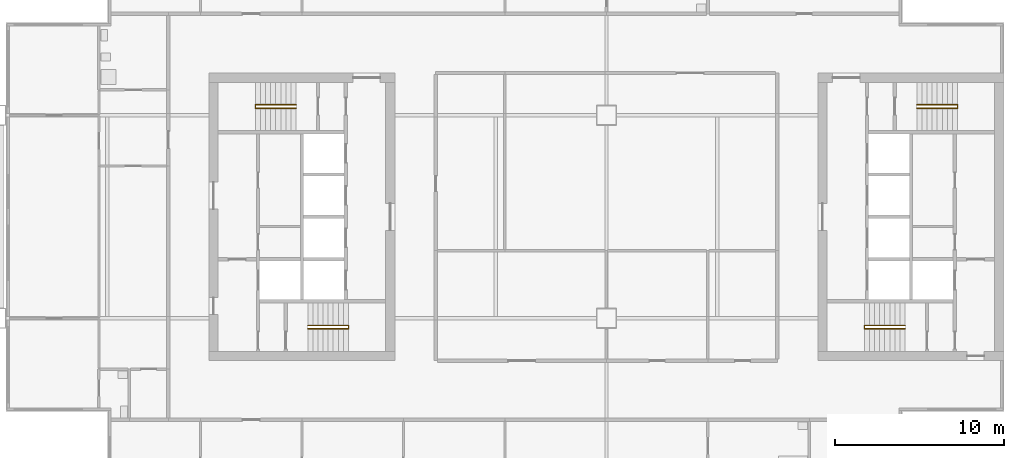
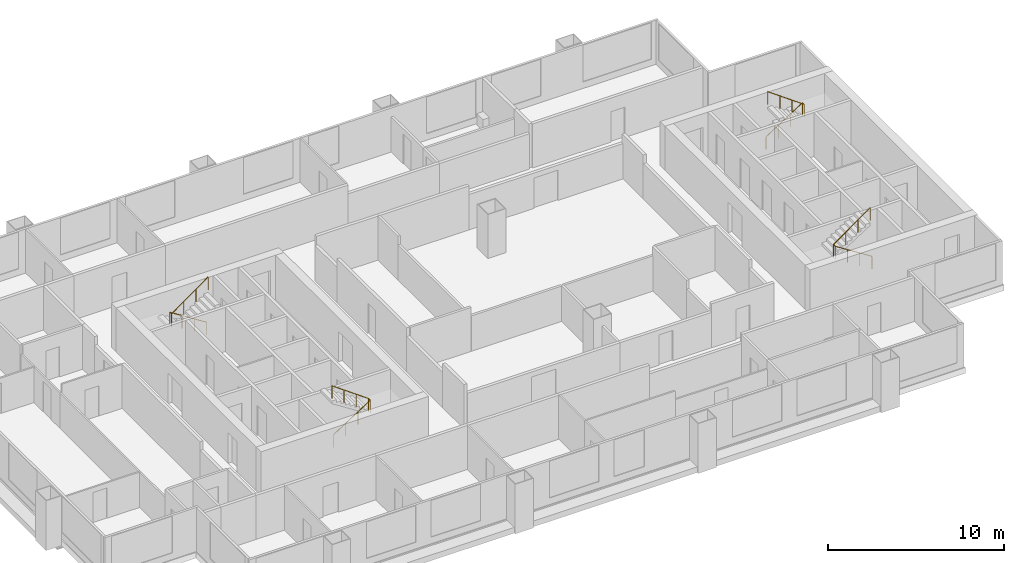
# One storey, part 7 of 8: 4 railings.
"""IFC4 building model written with IfcOpenShell, lengths in metres."""

from ifc_helpers import new_model, si_unit, direction, frame, origin, origin_2d, place, context, subcontext, project, spatial, circle, extrude, material, type_object, element, save


model = new_model("IFC4")

# Units and contexts
model_context = context("Model", 3, precision=1e-05, world=origin(), true_north=direction((0.0, 1.0)))
body_context = subcontext(model_context, "Body", "Model", "MODEL_VIEW")
ifc_project = project(units=[si_unit("LENGTHUNIT", "METRE"), si_unit("AREAUNIT", "SQUARE_METRE"), si_unit("VOLUMEUNIT", "CUBIC_METRE"), si_unit("PLANEANGLEUNIT", "RADIAN"), si_unit("MASSUNIT", "GRAM", prefix="KILO")], contexts=[model_context])

# Site, building, storey
site_placement = place(None, origin())
site = spatial("IfcSite", under=ifc_project, at=site_placement, CompositionType="ELEMENT")
building_placement = place(site_placement, origin())
building = spatial("IfcBuilding", under=site, at=building_placement, Name="Kitamizu Gate Tower and Museum", CompositionType="ELEMENT")
storey_placement = place(building_placement, frame((0.0, 0.0, 189.300048828125)))
storey = spatial("IfcBuildingStorey", under=building, at=storey_placement, Name="L50", CompositionType="ELEMENT", Elevation=189.300048828125)

# Railings
ifc_material = material(Name="Stainless steel SUS304", Category="steel")
railing_type = type_object("IfcRailingType", Name="Stair handrail 900", PredefinedType="HANDRAIL", material=ifc_material)
railing_1_placement = place(storey_placement, frame((18.35009765625, 23.375, 0.191650390625)))
element("IfcRailing", 1, at=railing_1_placement, inside=storey, type_object=railing_type, Name="Stair handrail ST1", PredefinedType="HANDRAIL", context=body_context, shape_type="SweptSolid", body=[
    extrude(circle(Radius=0.02392578125, at=origin_2d()), frame((0.0, 0.0, 0.8759765625), z_axis=(0.84270706373, 0.0, 0.538372366248), x_axis=(0.0, 1.0, 0.0)), (0.0, 0.0, 1.0), 2.847900390625),
    extrude(circle(Radius=0.02392578125, at=origin_2d()), frame((2.39990234375, 0.0, 2.4091796875), z_axis=(0.0, 1.0, 0.0), x_axis=(-1.0, 0.0, 0.0)), (0.0, 0.0, 1.0), 0.199951171875),
    extrude(circle(Radius=0.02392578125, at=origin_2d()), frame((2.39990234375, 0.199951171875, 2.4091796875), z_axis=(-0.811988456656, 0.0, 0.583673492852), x_axis=(0.0, -1.0, 0.0)), (0.0, 0.0, 1.0), 2.95556640625),
    extrude(circle(Radius=0.02099609375, at=origin_2d()), origin(), (0.0, 0.0, 1.0), 0.851806640625),
    extrude(circle(Radius=0.02099609375, at=origin_2d()), frame((0.800048828125, 0.0, 0.510986328125)), (0.0, 0.0, 1.0), 0.851806640625),
    extrude(circle(Radius=0.02099609375, at=origin_2d()), frame((1.599853515625, 0.0, 1.022216796875)), (0.0, 0.0, 1.0), 0.851806640625),
    extrude(circle(Radius=0.02099609375, at=origin_2d()), frame((2.39990234375, 0.0, 1.533203125)), (0.0, 0.0, 1.0), 0.851806640625),
    extrude(circle(Radius=0.02099609375, at=origin_2d()), frame((2.39990234375, 0.199951171875, 1.533203125)), (0.0, 0.0, 1.0), 0.851806640625),
    extrude(circle(Radius=0.02099609375, at=origin_2d()), frame((1.599853515625, 0.199951171875, 2.108154296875)), (0.0, 0.0, 1.0), 0.851806640625),
    extrude(circle(Radius=0.02099609375, at=origin_2d()), frame((0.800048828125, 0.199951171875, 2.683349609375)), (0.0, 0.0, 1.0), 0.851806640625),
    extrude(circle(Radius=0.02099609375, at=origin_2d()), frame((0.0, 0.199951171875, 3.25830078125)), (0.0, 0.0, 1.0), 0.851806640625),
])
railing_2_placement = place(storey_placement, frame((17.64990234375, 36.625, 0.191650390625)))
element("IfcRailing", 2, at=railing_2_placement, inside=storey, type_object=railing_type, Name="Stair handrail ST2", PredefinedType="HANDRAIL", context=body_context, shape_type="SweptSolid", body=[
    extrude(circle(Radius=0.02392578125, at=origin_2d()), frame((0.0, 0.0, 0.8759765625), z_axis=(-0.84270706373, 0.0, 0.538372366248), x_axis=(0.0, -1.0, 0.0)), (0.0, 0.0, 1.0), 2.847900390625),
    extrude(circle(Radius=0.02392578125, at=origin_2d()), frame((-2.39990234375, 0.0, 2.4091796875), z_axis=(0.0, -1.0, 0.0), x_axis=(1.0, 0.0, 0.0)), (0.0, 0.0, 1.0), 0.199951171875),
    extrude(circle(Radius=0.02392578125, at=origin_2d()), frame((-2.39990234375, -0.199951171875, 2.4091796875), z_axis=(0.811988456656, 0.0, 0.583673492852), x_axis=(0.0, 1.0, 0.0)), (0.0, 0.0, 1.0), 2.95556640625),
    extrude(circle(Radius=0.02099609375, at=origin_2d()), origin(), (0.0, 0.0, 1.0), 0.851806640625),
    extrude(circle(Radius=0.02099609375, at=origin_2d()), frame((-0.800048828125, 0.0, 0.510986328125)), (0.0, 0.0, 1.0), 0.851806640625),
    extrude(circle(Radius=0.02099609375, at=origin_2d()), frame((-1.599853515625, 0.0, 1.022216796875)), (0.0, 0.0, 1.0), 0.851806640625),
    extrude(circle(Radius=0.02099609375, at=origin_2d()), frame((-2.39990234375, 0.0, 1.533203125)), (0.0, 0.0, 1.0), 0.851806640625),
    extrude(circle(Radius=0.02099609375, at=origin_2d()), frame((-2.39990234375, -0.199951171875, 1.533203125)), (0.0, 0.0, 1.0), 0.851806640625),
    extrude(circle(Radius=0.02099609375, at=origin_2d()), frame((-1.599853515625, -0.199951171875, 2.108154296875)), (0.0, 0.0, 1.0), 0.851806640625),
    extrude(circle(Radius=0.02099609375, at=origin_2d()), frame((-0.800048828125, -0.199951171875, 2.683349609375)), (0.0, 0.0, 1.0), 0.851806640625),
    extrude(circle(Radius=0.02099609375, at=origin_2d()), frame((0.0, -0.199951171875, 3.25830078125)), (0.0, 0.0, 1.0), 0.851806640625),
])
railing_3_placement = place(storey_placement, frame((53.64990234375, 23.375, 0.191650390625)))
element("IfcRailing", 3, at=railing_3_placement, inside=storey, type_object=railing_type, Name="Stair handrail ST3", PredefinedType="HANDRAIL", context=body_context, shape_type="SweptSolid", body=[
    extrude(circle(Radius=0.02392578125, at=origin_2d()), frame((0.0, 0.0, 0.8759765625), z_axis=(-0.84270706373, 0.0, 0.538372366248), x_axis=(0.0, -1.0, 0.0)), (0.0, 0.0, 1.0), 2.847900390625),
    extrude(circle(Radius=0.02392578125, at=origin_2d()), frame((-2.39990234375, 0.0, 2.4091796875), z_axis=(0.0, 1.0, 0.0), x_axis=(-1.0, 0.0, 0.0)), (0.0, 0.0, 1.0), 0.199951171875),
    extrude(circle(Radius=0.02392578125, at=origin_2d()), frame((-2.39990234375, 0.199951171875, 2.4091796875), z_axis=(0.811988456656, 0.0, 0.583673492852), x_axis=(0.0, 1.0, 0.0)), (0.0, 0.0, 1.0), 2.95556640625),
    extrude(circle(Radius=0.02099609375, at=origin_2d()), origin(), (0.0, 0.0, 1.0), 0.851806640625),
    extrude(circle(Radius=0.02099609375, at=origin_2d()), frame((-0.800048828125, 0.0, 0.510986328125)), (0.0, 0.0, 1.0), 0.851806640625),
    extrude(circle(Radius=0.02099609375, at=origin_2d()), frame((-1.599853515625, 0.0, 1.022216796875)), (0.0, 0.0, 1.0), 0.851806640625),
    extrude(circle(Radius=0.02099609375, at=origin_2d()), frame((-2.39990234375, 0.0, 1.533203125)), (0.0, 0.0, 1.0), 0.851806640625),
    extrude(circle(Radius=0.02099609375, at=origin_2d()), frame((-2.39990234375, 0.199951171875, 1.533203125)), (0.0, 0.0, 1.0), 0.851806640625),
    extrude(circle(Radius=0.02099609375, at=origin_2d()), frame((-1.599853515625, 0.199951171875, 2.108154296875)), (0.0, 0.0, 1.0), 0.851806640625),
    extrude(circle(Radius=0.02099609375, at=origin_2d()), frame((-0.800048828125, 0.199951171875, 2.683349609375)), (0.0, 0.0, 1.0), 0.851806640625),
    extrude(circle(Radius=0.02099609375, at=origin_2d()), frame((0.0, 0.199951171875, 3.25830078125)), (0.0, 0.0, 1.0), 0.851806640625),
])
railing_4_placement = place(storey_placement, frame((54.35009765625, 36.625, 0.191650390625)))
element("IfcRailing", 4, at=railing_4_placement, inside=storey, type_object=railing_type, Name="Stair handrail ST4", PredefinedType="HANDRAIL", context=body_context, shape_type="SweptSolid", body=[
    extrude(circle(Radius=0.02392578125, at=origin_2d()), frame((0.0, 0.0, 0.8759765625), z_axis=(0.84270706373, 0.0, 0.538372366248), x_axis=(0.0, 1.0, 0.0)), (0.0, 0.0, 1.0), 2.847900390625),
    extrude(circle(Radius=0.02392578125, at=origin_2d()), frame((2.39990234375, 0.0, 2.4091796875), z_axis=(0.0, -1.0, 0.0), x_axis=(1.0, 0.0, 0.0)), (0.0, 0.0, 1.0), 0.199951171875),
    extrude(circle(Radius=0.02392578125, at=origin_2d()), frame((2.39990234375, -0.199951171875, 2.4091796875), z_axis=(-0.811988456656, 0.0, 0.583673492852), x_axis=(0.0, -1.0, 0.0)), (0.0, 0.0, 1.0), 2.95556640625),
    extrude(circle(Radius=0.02099609375, at=origin_2d()), origin(), (0.0, 0.0, 1.0), 0.851806640625),
    extrude(circle(Radius=0.02099609375, at=origin_2d()), frame((0.800048828125, 0.0, 0.510986328125)), (0.0, 0.0, 1.0), 0.851806640625),
    extrude(circle(Radius=0.02099609375, at=origin_2d()), frame((1.599853515625, 0.0, 1.022216796875)), (0.0, 0.0, 1.0), 0.851806640625),
    extrude(circle(Radius=0.02099609375, at=origin_2d()), frame((2.39990234375, 0.0, 1.533203125)), (0.0, 0.0, 1.0), 0.851806640625),
    extrude(circle(Radius=0.02099609375, at=origin_2d()), frame((2.39990234375, -0.199951171875, 1.533203125)), (0.0, 0.0, 1.0), 0.851806640625),
    extrude(circle(Radius=0.02099609375, at=origin_2d()), frame((1.599853515625, -0.199951171875, 2.108154296875)), (0.0, 0.0, 1.0), 0.851806640625),
    extrude(circle(Radius=0.02099609375, at=origin_2d()), frame((0.800048828125, -0.199951171875, 2.683349609375)), (0.0, 0.0, 1.0), 0.851806640625),
    extrude(circle(Radius=0.02099609375, at=origin_2d()), frame((0.0, -0.199951171875, 3.25830078125)), (0.0, 0.0, 1.0), 0.851806640625),
])

save(model, "model.ifc")
